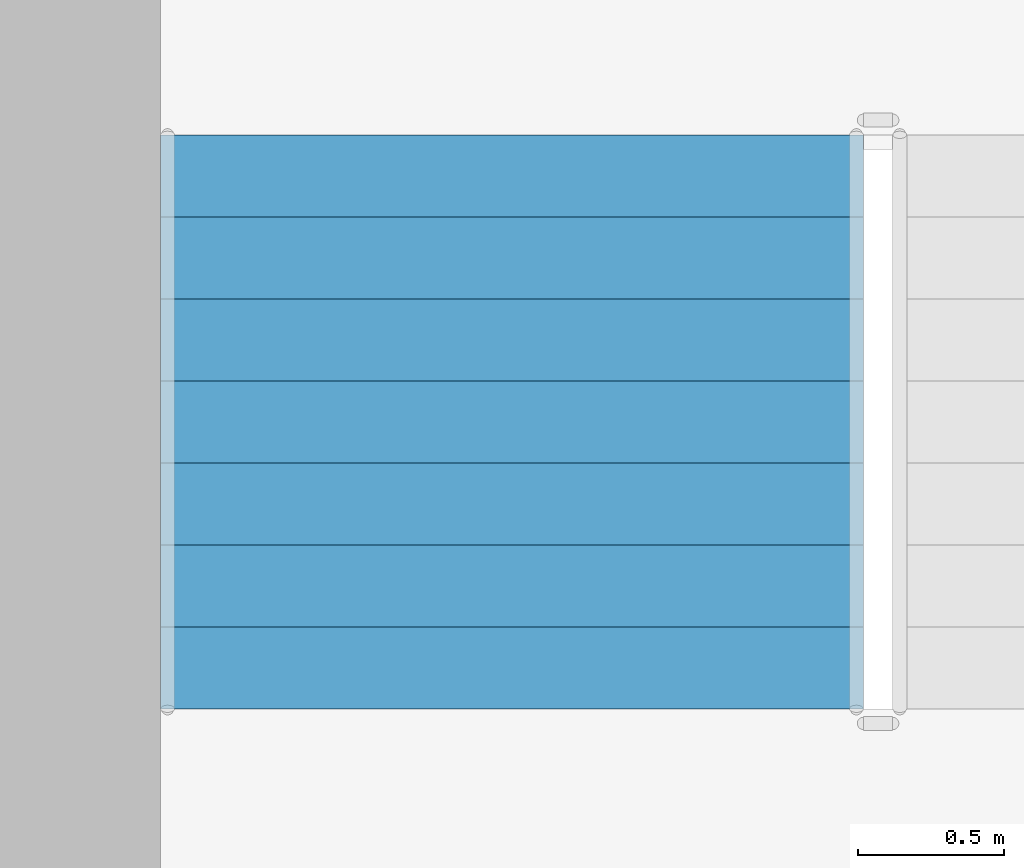
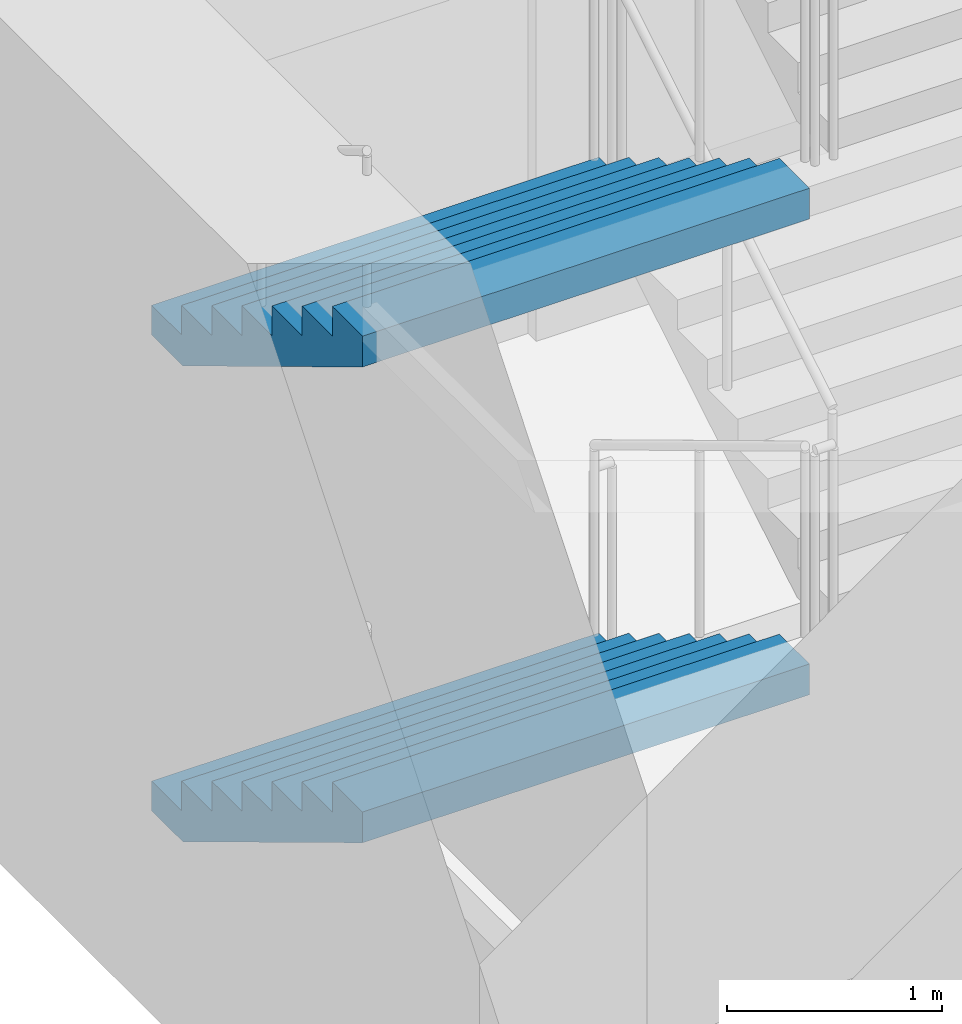
# One storey, part 37 of 101: 2 stair flights, 1 element without a shape of its own.
"""IFC4 building model written with IfcOpenShell, lengths in metres."""

from ifc_helpers import new_model, si_unit, direction, frame, origin, place, context, subcontext, project, spatial, triangles, material, type_object, element, aggregate, save


model = new_model("IFC4")

# Units and contexts
model_context = context("Model", 3, precision=1e-05, world=origin(), true_north=direction((0.0, 1.0)))
body_context = subcontext(model_context, "Body", "Model", "MODEL_VIEW")
ifc_project = project(units=[si_unit("LENGTHUNIT", "METRE"), si_unit("AREAUNIT", "SQUARE_METRE"), si_unit("VOLUMEUNIT", "CUBIC_METRE"), si_unit("PLANEANGLEUNIT", "RADIAN"), si_unit("MASSUNIT", "GRAM", prefix="KILO")], contexts=[model_context])

# Site, building, storey
site_placement = place(None, origin())
site = spatial("IfcSite", under=ifc_project, at=site_placement, CompositionType="ELEMENT")
building_placement = place(site_placement, origin())
building = spatial("IfcBuilding", under=site, at=building_placement, Name="Magnolia Steps Interchange", CompositionType="ELEMENT")
storey_placement = place(building_placement, frame((0.0, 0.0, -5.39990234375)))
storey = spatial("IfcBuildingStorey", under=building, at=storey_placement, Name="B1", CompositionType="ELEMENT", Elevation=-5.39990234375)

# Stair, stair flights
ifc_material_1 = material(Name="Concrete C40", Category="concrete")
stair_type = type_object("IfcStairType", Name="Exit stair 2400", PredefinedType="HALF_TURN_STAIR", material=ifc_material_1)
stair_placement = place(storey_placement, origin())
stair = element("IfcStair", 1, at=stair_placement, inside=storey, type_object=stair_type, Name="B1 Stair 15", PredefinedType="HALF_TURN_STAIR")
ifc_material_2 = material(Name="Concrete C40", Category="concrete")
stair_flight_type = type_object("IfcStairFlightType", Name="Exit stair flight", PredefinedType="STRAIGHT", material=ifc_material_2)
stair_flight_1_placement = place(storey_placement, frame((22.375, 58.125, 0.0), z_axis=(0.0, 0.0, 1.0), x_axis=(0.0, -1.0, 0.0)))
stair_flight_1 = element("IfcStairFlight", 2, at=stair_flight_1_placement, type_object=stair_flight_type, Name="Stair 15 flight 1", NumberOfRisers=8, NumberOfTreads=7, PredefinedType="STRAIGHT", RiserHeight=0.16875, TreadLength=0.28, context=body_context, shape_type="Tessellation", body=[
    triangles([(0.0, -1.199951171875, 0.0), (0.29052734375, -1.199951171875, 0.0), (1.9599609375, -1.199951171875, 1.00634765625), (1.9599609375, -1.199951171875, 1.18115234375), (1.679931640625, -1.199951171875, 1.18115234375), (1.679931640625, -1.199951171875, 1.012451171875), (1.39990234375, -1.199951171875, 1.012451171875), (1.39990234375, -1.199951171875, 0.84375), (1.1201171875, -1.199951171875, 0.84375), (1.1201171875, -1.199951171875, 0.675048828125), (0.840087890625, -1.199951171875, 0.675048828125), (0.840087890625, -1.199951171875, 0.50634765625), (0.56005859375, -1.199951171875, 0.50634765625), (0.56005859375, -1.199951171875, 0.33740234375), (0.280029296875, -1.199951171875, 0.33740234375), (0.280029296875, -1.199951171875, 0.168701171875), (0.0, -1.199951171875, 0.168701171875), (0.0, 1.199951171875, 0.0), (0.29052734375, 1.199951171875, 0.0), (1.9599609375, 1.199951171875, 1.00634765625), (1.9599609375, 1.199951171875, 1.18115234375), (1.679931640625, 1.199951171875, 1.18115234375), (1.679931640625, 1.199951171875, 1.012451171875), (1.39990234375, 1.199951171875, 1.012451171875), (1.39990234375, 1.199951171875, 0.84375), (1.1201171875, 1.199951171875, 0.84375), (1.1201171875, 1.199951171875, 0.675048828125), (0.840087890625, 1.199951171875, 0.675048828125), (0.840087890625, 1.199951171875, 0.50634765625), (0.56005859375, 1.199951171875, 0.50634765625), (0.56005859375, 1.199951171875, 0.33740234375), (0.280029296875, 1.199951171875, 0.33740234375), (0.280029296875, 1.199951171875, 0.168701171875), (0.0, 1.199951171875, 0.168701171875), (0.0, 0.0, 0.0), (0.0, 0.0, 0.04217529296875), (0.0, 0.0, 0.0843505859375), (0.0, 0.0, 0.12652587890625), (0.0, 0.0, 0.168701171875), (0.0, -0.05, 0.0), (0.0, -0.05, 0.168701171875), (0.0, 0.05, 0.0), (0.0, 0.05, 0.168701171875), (0.046671549479166664, 0.0, 0.168701171875), (0.09334309895833333, 0.0, 0.168701171875), (0.1400146484375, 0.0, 0.168701171875), (0.18668619791666666, 0.0, 0.168701171875), (0.23335774739583334, 0.0, 0.168701171875), (0.280029296875, 0.0, 0.168701171875), (0.280029296875, -0.05, 0.168701171875), (0.280029296875, 0.05, 0.168701171875), (0.280029296875, 0.0, 0.21087646484375), (0.280029296875, 0.0, 0.2530517578125), (0.280029296875, 0.0, 0.29522705078125), (0.280029296875, 0.0, 0.33740234375), (0.280029296875, -0.05, 0.33740234375), (0.280029296875, 0.05, 0.33740234375), (0.3267008463541667, 0.0, 0.33740234375), (0.3733723958333333, 0.0, 0.33740234375), (0.4200439453125, 0.0, 0.33740234375), (0.46671549479166663, 0.0, 0.33740234375), (0.5133870442708334, 0.0, 0.33740234375), (0.56005859375, 0.0, 0.33740234375), (0.56005859375, -0.05, 0.33740234375), (0.56005859375, 0.05, 0.33740234375), (0.56005859375, 0.0, 0.379638671875), (0.56005859375, 0.0, 0.421875), (0.56005859375, 0.0, 0.464111328125), (0.56005859375, 0.0, 0.50634765625), (0.56005859375, -0.05, 0.50634765625), (0.56005859375, 0.05, 0.50634765625), (0.6067301432291666, 0.0, 0.50634765625), (0.6534016927083334, 0.0, 0.50634765625), (0.7000732421875, 0.0, 0.50634765625), (0.7467447916666666, 0.0, 0.50634765625), (0.7934163411458334, 0.0, 0.50634765625), (0.840087890625, 0.0, 0.50634765625), (0.840087890625, -0.05, 0.50634765625), (0.840087890625, 0.05, 0.50634765625), (0.840087890625, 0.0, 0.54852294921875), (0.840087890625, 0.0, 0.5906982421875), (0.840087890625, 0.0, 0.63287353515625), (0.840087890625, 0.0, 0.675048828125), (0.840087890625, -0.05, 0.675048828125), (0.840087890625, 0.05, 0.675048828125), (0.8867594401041666, 0.0, 0.675048828125), (0.9334309895833334, 0.0, 0.675048828125), (0.9801025390625, 0.0, 0.675048828125), (1.0267740885416667, 0.0, 0.675048828125), (1.0734456380208333, 0.0, 0.675048828125), (1.1201171875, 0.0, 0.675048828125), (1.1201171875, -0.05, 0.675048828125), (1.1201171875, 0.05, 0.675048828125), (1.1201171875, 0.0, 0.71722412109375), (1.1201171875, 0.0, 0.7593994140625), (1.1201171875, 0.0, 0.80157470703125), (1.1201171875, 0.0, 0.84375), (1.1201171875, -0.05, 0.84375), (1.1201171875, 0.05, 0.84375), (1.1900634765625, 0.0, 0.84375), (1.260009765625, 0.0, 0.84375), (1.3299560546875, 0.0, 0.84375), (1.39990234375, 0.0, 0.84375), (1.39990234375, -0.05, 0.84375), (1.39990234375, 0.05, 0.84375), (1.39990234375, 0.0, 0.88592529296875), (1.39990234375, 0.0, 0.9281005859375), (1.39990234375, 0.0, 0.97027587890625), (1.39990234375, 0.0, 1.012451171875), (1.39990234375, -0.05, 1.012451171875), (1.39990234375, 0.05, 1.012451171875), (1.4465738932291667, 0.0, 1.012451171875), (1.4932454427083333, 0.0, 1.012451171875), (1.5399169921875, 0.0, 1.012451171875), (1.5865885416666667, 0.0, 1.012451171875), (1.6332600911458333, 0.0, 1.012451171875), (1.679931640625, 0.0, 1.012451171875), (1.679931640625, -0.05, 1.012451171875), (1.679931640625, 0.05, 1.012451171875), (1.679931640625, 0.0, 1.05462646484375), (1.679931640625, 0.0, 1.0968017578125), (1.679931640625, 0.0, 1.13897705078125), (1.679931640625, 0.0, 1.18115234375), (1.679931640625, -0.05, 1.18115234375), (1.679931640625, 0.05, 1.18115234375), (1.7266031901041667, 0.0, 1.18115234375), (1.7732747395833333, 0.0, 1.18115234375), (1.8199462890625, 0.0, 1.18115234375), (1.8666178385416667, 0.0, 1.18115234375), (1.9132893880208333, 0.0, 1.18115234375), (1.9599609375, 0.0, 1.18115234375), (1.9599609375, -0.05, 1.18115234375), (1.9599609375, 0.05, 1.18115234375), (1.9599609375, 0.0, 1.137451171875), (1.9599609375, 0.0, 1.09375), (1.9599609375, 0.0, 1.050048828125), (1.9599609375, 0.0, 1.00634765625), (1.9599609375, -0.05, 1.00634765625), (1.9599609375, 0.05, 1.00634765625), (1.9003383091517858, 0.0, 0.9704066685267857), (1.8407156808035714, 0.0, 0.9344656808035714), (1.7810930524553572, 0.0, 0.8985246930803571), (1.7214704241071428, 0.0, 0.8625837053571428), (1.6618477957589286, 0.0, 0.8266427176339286), (1.6022251674107144, 0.0, 0.7907017299107143), (1.5426025390625, 0.0, 0.7547607421875), (1.4829799107142856, 0.0, 0.7188197544642857), (1.4233572823660714, 0.0, 0.6828787667410714), (1.3637346540178572, 0.0, 0.6469377790178572), (1.3041120256696428, 0.0, 0.6109967912946428), (1.2444893973214286, 0.0, 0.5750558035714286), (1.1848667689732144, 0.0, 0.5391148158482143), (1.125244140625, 0.0, 0.503173828125), (1.0656215122767856, 0.0, 0.4672328404017857), (1.0059988839285714, 0.0, 0.4312918526785714), (0.9463762555803572, 0.0, 0.3953508649553571), (0.8867536272321428, 0.0, 0.3594098772321429), (0.8271309988839286, 0.0, 0.3234688895089286), (0.7675083705357142, 0.0, 0.2875279017857143), (0.7078857421875, 0.0, 0.2515869140625), (0.6482631138392858, 0.0, 0.2156459263392857), (0.5886404854910714, 0.0, 0.1797049386160714), (0.5290178571428572, 0.0, 0.1437639508928571), (0.4693952287946428, 0.0, 0.1078229631696429), (0.4097726004464286, 0.0, 0.0718819754464286), (0.3501499720982142, 0.0, 0.0359409877232143), (0.29052734375, 0.0, 0.0), (0.29052734375, -0.05, 0.0), (0.29052734375, 0.05, 0.0), (0.24210611979166666, 0.0, 0.0), (0.19368489583333331, 0.0, 0.0), (0.145263671875, 0.0, 0.0), (0.09684244791666666, 0.0, 0.0), (0.04842122395833334, 0.0, 0.0)], [[1, 2, 3], [3, 4, 5], [3, 5, 6], [3, 6, 7], [3, 7, 8], [8, 9, 10], [3, 8, 10], [10, 11, 12], [3, 10, 12], [12, 13, 14], [3, 12, 14], [14, 15, 16], [3, 14, 16], [1, 3, 16], [16, 17, 1], [18, 20, 19], [20, 22, 21], [20, 23, 22], [20, 24, 23], [20, 25, 24], [25, 27, 26], [20, 27, 25], [27, 29, 28], [20, 29, 27], [29, 31, 30], [20, 31, 29], [31, 33, 32], [20, 33, 31], [18, 33, 20], [33, 18, 34], [1, 17, 41], [1, 41, 40], [40, 36, 35], [40, 37, 36], [40, 41, 37], [41, 38, 37], [41, 39, 38], [18, 43, 34], [18, 42, 43], [42, 35, 36], [42, 36, 37], [42, 37, 43], [43, 37, 38], [43, 38, 39], [17, 16, 50], [17, 50, 41], [41, 44, 39], [41, 45, 44], [41, 46, 45], [41, 50, 46], [50, 47, 46], [50, 48, 47], [50, 49, 48], [34, 51, 33], [34, 43, 51], [43, 39, 44], [43, 44, 45], [43, 45, 46], [43, 46, 51], [51, 46, 47], [51, 47, 48], [51, 48, 49], [16, 15, 56], [16, 56, 50], [50, 52, 49], [50, 53, 52], [50, 56, 53], [56, 54, 53], [56, 55, 54], [33, 57, 32], [33, 51, 57], [51, 49, 52], [51, 52, 53], [51, 53, 57], [57, 53, 54], [57, 54, 55], [15, 14, 64], [15, 64, 56], [56, 58, 55], [56, 59, 58], [56, 60, 59], [56, 64, 60], [64, 61, 60], [64, 62, 61], [64, 63, 62], [32, 65, 31], [32, 57, 65], [57, 55, 58], [57, 58, 59], [57, 59, 60], [57, 60, 65], [65, 60, 61], [65, 61, 62], [65, 62, 63], [14, 13, 70], [14, 70, 64], [64, 66, 63], [64, 67, 66], [64, 70, 67], [70, 68, 67], [70, 69, 68], [31, 71, 30], [31, 65, 71], [65, 63, 66], [65, 66, 67], [65, 67, 71], [71, 67, 68], [71, 68, 69], [13, 12, 78], [13, 78, 70], [70, 72, 69], [70, 73, 72], [70, 74, 73], [70, 78, 74], [78, 75, 74], [78, 76, 75], [78, 77, 76], [30, 79, 29], [30, 71, 79], [71, 69, 72], [71, 72, 73], [71, 73, 74], [71, 74, 79], [79, 74, 75], [79, 75, 76], [79, 76, 77], [12, 11, 84], [12, 84, 78], [78, 80, 77], [78, 81, 80], [78, 84, 81], [84, 82, 81], [84, 83, 82], [29, 85, 28], [29, 79, 85], [79, 77, 80], [79, 80, 81], [79, 81, 85], [85, 81, 82], [85, 82, 83], [11, 10, 92], [11, 92, 84], [84, 86, 83], [84, 87, 86], [84, 88, 87], [84, 92, 88], [92, 89, 88], [92, 90, 89], [92, 91, 90], [28, 93, 27], [28, 85, 93], [85, 83, 86], [85, 86, 87], [85, 87, 88], [85, 88, 93], [93, 88, 89], [93, 89, 90], [93, 90, 91], [10, 9, 98], [10, 98, 92], [92, 94, 91], [92, 95, 94], [92, 98, 95], [98, 96, 95], [98, 97, 96], [27, 99, 26], [27, 93, 99], [93, 91, 94], [93, 94, 95], [93, 95, 99], [99, 95, 96], [99, 96, 97], [9, 8, 104], [9, 104, 98], [98, 100, 97], [98, 101, 100], [98, 104, 101], [104, 102, 101], [104, 103, 102], [26, 105, 25], [26, 99, 105], [99, 97, 100], [99, 100, 101], [99, 101, 105], [105, 101, 102], [105, 102, 103], [8, 7, 110], [8, 110, 104], [104, 106, 103], [104, 107, 106], [104, 110, 107], [110, 108, 107], [110, 109, 108], [25, 111, 24], [25, 105, 111], [105, 103, 106], [105, 106, 107], [105, 107, 111], [111, 107, 108], [111, 108, 109], [7, 6, 118], [7, 118, 110], [110, 112, 109], [110, 113, 112], [110, 114, 113], [110, 118, 114], [118, 115, 114], [118, 116, 115], [118, 117, 116], [24, 119, 23], [24, 111, 119], [111, 109, 112], [111, 112, 113], [111, 113, 114], [111, 114, 119], [119, 114, 115], [119, 115, 116], [119, 116, 117], [6, 5, 124], [6, 124, 118], [118, 120, 117], [118, 121, 120], [118, 124, 121], [124, 122, 121], [124, 123, 122], [23, 125, 22], [23, 119, 125], [119, 117, 120], [119, 120, 121], [119, 121, 125], [125, 121, 122], [125, 122, 123], [5, 4, 132], [5, 132, 124], [124, 126, 123], [124, 127, 126], [124, 128, 127], [124, 132, 128], [132, 129, 128], [132, 130, 129], [132, 131, 130], [22, 133, 21], [22, 125, 133], [125, 123, 126], [125, 126, 127], [125, 127, 128], [125, 128, 133], [133, 128, 129], [133, 129, 130], [133, 130, 131], [4, 3, 138], [4, 138, 132], [132, 134, 131], [132, 135, 134], [132, 138, 135], [138, 136, 135], [138, 137, 136], [21, 139, 20], [21, 133, 139], [133, 131, 134], [133, 134, 135], [133, 135, 139], [139, 135, 136], [139, 136, 137], [3, 2, 168], [3, 168, 138], [138, 140, 137], [138, 141, 140], [138, 142, 141], [138, 143, 142], [138, 144, 143], [138, 145, 144], [138, 146, 145], [138, 147, 146], [138, 148, 147], [138, 149, 148], [138, 150, 149], [138, 151, 150], [138, 152, 151], [138, 153, 152], [138, 168, 153], [168, 154, 153], [168, 155, 154], [168, 156, 155], [168, 157, 156], [168, 158, 157], [168, 159, 158], [168, 160, 159], [168, 161, 160], [168, 162, 161], [168, 163, 162], [168, 164, 163], [168, 165, 164], [168, 166, 165], [168, 167, 166], [20, 169, 19], [20, 139, 169], [139, 137, 140], [139, 140, 141], [139, 141, 142], [139, 142, 143], [139, 143, 144], [139, 144, 145], [139, 145, 146], [139, 146, 147], [139, 147, 148], [139, 148, 149], [139, 149, 150], [139, 150, 151], [139, 151, 152], [139, 152, 153], [139, 153, 169], [169, 153, 154], [169, 154, 155], [169, 155, 156], [169, 156, 157], [169, 157, 158], [169, 158, 159], [169, 159, 160], [169, 160, 161], [169, 161, 162], [169, 162, 163], [169, 163, 164], [169, 164, 165], [169, 165, 166], [169, 166, 167], [2, 1, 40], [2, 40, 168], [168, 170, 167], [168, 171, 170], [168, 172, 171], [168, 40, 172], [40, 173, 172], [40, 174, 173], [40, 35, 174], [19, 42, 18], [19, 169, 42], [169, 167, 170], [169, 170, 171], [169, 171, 172], [169, 172, 42], [42, 172, 173], [42, 173, 174], [42, 174, 35]], closed=True),
])
stair_flight_2_placement = place(storey_placement, frame((22.375, 58.125, 2.699951171875), z_axis=(0.0, 0.0, 1.0), x_axis=(0.0, -1.0, 0.0)))
stair_flight_2 = element("IfcStairFlight", 3, at=stair_flight_2_placement, type_object=stair_flight_type, Name="Stair 15 flight 3", NumberOfRisers=8, NumberOfTreads=7, PredefinedType="STRAIGHT", RiserHeight=0.16875, TreadLength=0.28, context=body_context, shape_type="Tessellation", body=[
    triangles([(0.0, -1.199951171875, 0.0), (0.29052734375, -1.199951171875, 0.0), (1.9599609375, -1.199951171875, 1.00634765625), (1.9599609375, -1.199951171875, 1.18115234375), (1.679931640625, -1.199951171875, 1.18115234375), (1.679931640625, -1.199951171875, 1.012451171875), (1.39990234375, -1.199951171875, 1.012451171875), (1.39990234375, -1.199951171875, 0.84375), (1.1201171875, -1.199951171875, 0.84375), (1.1201171875, -1.199951171875, 0.675048828125), (0.840087890625, -1.199951171875, 0.675048828125), (0.840087890625, -1.199951171875, 0.50634765625), (0.56005859375, -1.199951171875, 0.50634765625), (0.56005859375, -1.199951171875, 0.33740234375), (0.280029296875, -1.199951171875, 0.33740234375), (0.280029296875, -1.199951171875, 0.168701171875), (0.0, -1.199951171875, 0.168701171875), (0.0, 1.199951171875, 0.0), (0.29052734375, 1.199951171875, 0.0), (1.9599609375, 1.199951171875, 1.00634765625), (1.9599609375, 1.199951171875, 1.18115234375), (1.679931640625, 1.199951171875, 1.18115234375), (1.679931640625, 1.199951171875, 1.012451171875), (1.39990234375, 1.199951171875, 1.012451171875), (1.39990234375, 1.199951171875, 0.84375), (1.1201171875, 1.199951171875, 0.84375), (1.1201171875, 1.199951171875, 0.675048828125), (0.840087890625, 1.199951171875, 0.675048828125), (0.840087890625, 1.199951171875, 0.50634765625), (0.56005859375, 1.199951171875, 0.50634765625), (0.56005859375, 1.199951171875, 0.33740234375), (0.280029296875, 1.199951171875, 0.33740234375), (0.280029296875, 1.199951171875, 0.168701171875), (0.0, 1.199951171875, 0.168701171875), (0.0, 0.0, 0.0), (0.0, 0.0, 0.04217529296875), (0.0, 0.0, 0.0843505859375), (0.0, 0.0, 0.12652587890625), (0.0, 0.0, 0.168701171875), (0.0, -0.05, 0.0), (0.0, -0.05, 0.168701171875), (0.0, 0.05, 0.0), (0.0, 0.05, 0.168701171875), (0.046671549479166664, 0.0, 0.168701171875), (0.09334309895833333, 0.0, 0.168701171875), (0.1400146484375, 0.0, 0.168701171875), (0.18668619791666666, 0.0, 0.168701171875), (0.23335774739583334, 0.0, 0.168701171875), (0.280029296875, 0.0, 0.168701171875), (0.280029296875, -0.05, 0.168701171875), (0.280029296875, 0.05, 0.168701171875), (0.280029296875, 0.0, 0.21087646484375), (0.280029296875, 0.0, 0.2530517578125), (0.280029296875, 0.0, 0.29522705078125), (0.280029296875, 0.0, 0.33740234375), (0.280029296875, -0.05, 0.33740234375), (0.280029296875, 0.05, 0.33740234375), (0.3267008463541667, 0.0, 0.33740234375), (0.3733723958333333, 0.0, 0.33740234375), (0.4200439453125, 0.0, 0.33740234375), (0.46671549479166663, 0.0, 0.33740234375), (0.5133870442708334, 0.0, 0.33740234375), (0.56005859375, 0.0, 0.33740234375), (0.56005859375, -0.05, 0.33740234375), (0.56005859375, 0.05, 0.33740234375), (0.56005859375, 0.0, 0.379638671875), (0.56005859375, 0.0, 0.421875), (0.56005859375, 0.0, 0.464111328125), (0.56005859375, 0.0, 0.50634765625), (0.56005859375, -0.05, 0.50634765625), (0.56005859375, 0.05, 0.50634765625), (0.6067301432291666, 0.0, 0.50634765625), (0.6534016927083334, 0.0, 0.50634765625), (0.7000732421875, 0.0, 0.50634765625), (0.7467447916666666, 0.0, 0.50634765625), (0.7934163411458334, 0.0, 0.50634765625), (0.840087890625, 0.0, 0.50634765625), (0.840087890625, -0.05, 0.50634765625), (0.840087890625, 0.05, 0.50634765625), (0.840087890625, 0.0, 0.54852294921875), (0.840087890625, 0.0, 0.5906982421875), (0.840087890625, 0.0, 0.63287353515625), (0.840087890625, 0.0, 0.675048828125), (0.840087890625, -0.05, 0.675048828125), (0.840087890625, 0.05, 0.675048828125), (0.8867594401041666, 0.0, 0.675048828125), (0.9334309895833334, 0.0, 0.675048828125), (0.9801025390625, 0.0, 0.675048828125), (1.0267740885416667, 0.0, 0.675048828125), (1.0734456380208333, 0.0, 0.675048828125), (1.1201171875, 0.0, 0.675048828125), (1.1201171875, -0.05, 0.675048828125), (1.1201171875, 0.05, 0.675048828125), (1.1201171875, 0.0, 0.71722412109375), (1.1201171875, 0.0, 0.7593994140625), (1.1201171875, 0.0, 0.80157470703125), (1.1201171875, 0.0, 0.84375), (1.1201171875, -0.05, 0.84375), (1.1201171875, 0.05, 0.84375), (1.1900634765625, 0.0, 0.84375), (1.260009765625, 0.0, 0.84375), (1.3299560546875, 0.0, 0.84375), (1.39990234375, 0.0, 0.84375), (1.39990234375, -0.05, 0.84375), (1.39990234375, 0.05, 0.84375), (1.39990234375, 0.0, 0.88592529296875), (1.39990234375, 0.0, 0.9281005859375), (1.39990234375, 0.0, 0.97027587890625), (1.39990234375, 0.0, 1.012451171875), (1.39990234375, -0.05, 1.012451171875), (1.39990234375, 0.05, 1.012451171875), (1.4465738932291667, 0.0, 1.012451171875), (1.4932454427083333, 0.0, 1.012451171875), (1.5399169921875, 0.0, 1.012451171875), (1.5865885416666667, 0.0, 1.012451171875), (1.6332600911458333, 0.0, 1.012451171875), (1.679931640625, 0.0, 1.012451171875), (1.679931640625, -0.05, 1.012451171875), (1.679931640625, 0.05, 1.012451171875), (1.679931640625, 0.0, 1.05462646484375), (1.679931640625, 0.0, 1.0968017578125), (1.679931640625, 0.0, 1.13897705078125), (1.679931640625, 0.0, 1.18115234375), (1.679931640625, -0.05, 1.18115234375), (1.679931640625, 0.05, 1.18115234375), (1.7266031901041667, 0.0, 1.18115234375), (1.7732747395833333, 0.0, 1.18115234375), (1.8199462890625, 0.0, 1.18115234375), (1.8666178385416667, 0.0, 1.18115234375), (1.9132893880208333, 0.0, 1.18115234375), (1.9599609375, 0.0, 1.18115234375), (1.9599609375, -0.05, 1.18115234375), (1.9599609375, 0.05, 1.18115234375), (1.9599609375, 0.0, 1.137451171875), (1.9599609375, 0.0, 1.09375), (1.9599609375, 0.0, 1.050048828125), (1.9599609375, 0.0, 1.00634765625), (1.9599609375, -0.05, 1.00634765625), (1.9599609375, 0.05, 1.00634765625), (1.9003383091517858, 0.0, 0.9704066685267857), (1.8407156808035714, 0.0, 0.9344656808035714), (1.7810930524553572, 0.0, 0.8985246930803571), (1.7214704241071428, 0.0, 0.8625837053571428), (1.6618477957589286, 0.0, 0.8266427176339286), (1.6022251674107144, 0.0, 0.7907017299107143), (1.5426025390625, 0.0, 0.7547607421875), (1.4829799107142856, 0.0, 0.7188197544642857), (1.4233572823660714, 0.0, 0.6828787667410714), (1.3637346540178572, 0.0, 0.6469377790178572), (1.3041120256696428, 0.0, 0.6109967912946428), (1.2444893973214286, 0.0, 0.5750558035714286), (1.1848667689732144, 0.0, 0.5391148158482143), (1.125244140625, 0.0, 0.503173828125), (1.0656215122767856, 0.0, 0.4672328404017857), (1.0059988839285714, 0.0, 0.4312918526785714), (0.9463762555803572, 0.0, 0.3953508649553571), (0.8867536272321428, 0.0, 0.3594098772321429), (0.8271309988839286, 0.0, 0.3234688895089286), (0.7675083705357142, 0.0, 0.2875279017857143), (0.7078857421875, 0.0, 0.2515869140625), (0.6482631138392858, 0.0, 0.2156459263392857), (0.5886404854910714, 0.0, 0.1797049386160714), (0.5290178571428572, 0.0, 0.1437639508928571), (0.4693952287946428, 0.0, 0.1078229631696429), (0.4097726004464286, 0.0, 0.0718819754464286), (0.3501499720982142, 0.0, 0.0359409877232143), (0.29052734375, 0.0, 0.0), (0.29052734375, -0.05, 0.0), (0.29052734375, 0.05, 0.0), (0.24210611979166666, 0.0, 0.0), (0.19368489583333331, 0.0, 0.0), (0.145263671875, 0.0, 0.0), (0.09684244791666666, 0.0, 0.0), (0.04842122395833334, 0.0, 0.0)], [[1, 2, 3], [3, 4, 5], [3, 5, 6], [3, 6, 7], [3, 7, 8], [8, 9, 10], [3, 8, 10], [10, 11, 12], [3, 10, 12], [12, 13, 14], [3, 12, 14], [14, 15, 16], [3, 14, 16], [1, 3, 16], [16, 17, 1], [18, 20, 19], [20, 22, 21], [20, 23, 22], [20, 24, 23], [20, 25, 24], [25, 27, 26], [20, 27, 25], [27, 29, 28], [20, 29, 27], [29, 31, 30], [20, 31, 29], [31, 33, 32], [20, 33, 31], [18, 33, 20], [33, 18, 34], [1, 17, 41], [1, 41, 40], [40, 36, 35], [40, 37, 36], [40, 41, 37], [41, 38, 37], [41, 39, 38], [18, 43, 34], [18, 42, 43], [42, 35, 36], [42, 36, 37], [42, 37, 43], [43, 37, 38], [43, 38, 39], [17, 16, 50], [17, 50, 41], [41, 44, 39], [41, 45, 44], [41, 46, 45], [41, 50, 46], [50, 47, 46], [50, 48, 47], [50, 49, 48], [34, 51, 33], [34, 43, 51], [43, 39, 44], [43, 44, 45], [43, 45, 46], [43, 46, 51], [51, 46, 47], [51, 47, 48], [51, 48, 49], [16, 15, 56], [16, 56, 50], [50, 52, 49], [50, 53, 52], [50, 56, 53], [56, 54, 53], [56, 55, 54], [33, 57, 32], [33, 51, 57], [51, 49, 52], [51, 52, 53], [51, 53, 57], [57, 53, 54], [57, 54, 55], [15, 14, 64], [15, 64, 56], [56, 58, 55], [56, 59, 58], [56, 60, 59], [56, 64, 60], [64, 61, 60], [64, 62, 61], [64, 63, 62], [32, 65, 31], [32, 57, 65], [57, 55, 58], [57, 58, 59], [57, 59, 60], [57, 60, 65], [65, 60, 61], [65, 61, 62], [65, 62, 63], [14, 13, 70], [14, 70, 64], [64, 66, 63], [64, 67, 66], [64, 70, 67], [70, 68, 67], [70, 69, 68], [31, 71, 30], [31, 65, 71], [65, 63, 66], [65, 66, 67], [65, 67, 71], [71, 67, 68], [71, 68, 69], [13, 12, 78], [13, 78, 70], [70, 72, 69], [70, 73, 72], [70, 74, 73], [70, 78, 74], [78, 75, 74], [78, 76, 75], [78, 77, 76], [30, 79, 29], [30, 71, 79], [71, 69, 72], [71, 72, 73], [71, 73, 74], [71, 74, 79], [79, 74, 75], [79, 75, 76], [79, 76, 77], [12, 11, 84], [12, 84, 78], [78, 80, 77], [78, 81, 80], [78, 84, 81], [84, 82, 81], [84, 83, 82], [29, 85, 28], [29, 79, 85], [79, 77, 80], [79, 80, 81], [79, 81, 85], [85, 81, 82], [85, 82, 83], [11, 10, 92], [11, 92, 84], [84, 86, 83], [84, 87, 86], [84, 88, 87], [84, 92, 88], [92, 89, 88], [92, 90, 89], [92, 91, 90], [28, 93, 27], [28, 85, 93], [85, 83, 86], [85, 86, 87], [85, 87, 88], [85, 88, 93], [93, 88, 89], [93, 89, 90], [93, 90, 91], [10, 9, 98], [10, 98, 92], [92, 94, 91], [92, 95, 94], [92, 98, 95], [98, 96, 95], [98, 97, 96], [27, 99, 26], [27, 93, 99], [93, 91, 94], [93, 94, 95], [93, 95, 99], [99, 95, 96], [99, 96, 97], [9, 8, 104], [9, 104, 98], [98, 100, 97], [98, 101, 100], [98, 104, 101], [104, 102, 101], [104, 103, 102], [26, 105, 25], [26, 99, 105], [99, 97, 100], [99, 100, 101], [99, 101, 105], [105, 101, 102], [105, 102, 103], [8, 7, 110], [8, 110, 104], [104, 106, 103], [104, 107, 106], [104, 110, 107], [110, 108, 107], [110, 109, 108], [25, 111, 24], [25, 105, 111], [105, 103, 106], [105, 106, 107], [105, 107, 111], [111, 107, 108], [111, 108, 109], [7, 6, 118], [7, 118, 110], [110, 112, 109], [110, 113, 112], [110, 114, 113], [110, 118, 114], [118, 115, 114], [118, 116, 115], [118, 117, 116], [24, 119, 23], [24, 111, 119], [111, 109, 112], [111, 112, 113], [111, 113, 114], [111, 114, 119], [119, 114, 115], [119, 115, 116], [119, 116, 117], [6, 5, 124], [6, 124, 118], [118, 120, 117], [118, 121, 120], [118, 124, 121], [124, 122, 121], [124, 123, 122], [23, 125, 22], [23, 119, 125], [119, 117, 120], [119, 120, 121], [119, 121, 125], [125, 121, 122], [125, 122, 123], [5, 4, 132], [5, 132, 124], [124, 126, 123], [124, 127, 126], [124, 128, 127], [124, 132, 128], [132, 129, 128], [132, 130, 129], [132, 131, 130], [22, 133, 21], [22, 125, 133], [125, 123, 126], [125, 126, 127], [125, 127, 128], [125, 128, 133], [133, 128, 129], [133, 129, 130], [133, 130, 131], [4, 3, 138], [4, 138, 132], [132, 134, 131], [132, 135, 134], [132, 138, 135], [138, 136, 135], [138, 137, 136], [21, 139, 20], [21, 133, 139], [133, 131, 134], [133, 134, 135], [133, 135, 139], [139, 135, 136], [139, 136, 137], [3, 2, 168], [3, 168, 138], [138, 140, 137], [138, 141, 140], [138, 142, 141], [138, 143, 142], [138, 144, 143], [138, 145, 144], [138, 146, 145], [138, 147, 146], [138, 148, 147], [138, 149, 148], [138, 150, 149], [138, 151, 150], [138, 152, 151], [138, 153, 152], [138, 168, 153], [168, 154, 153], [168, 155, 154], [168, 156, 155], [168, 157, 156], [168, 158, 157], [168, 159, 158], [168, 160, 159], [168, 161, 160], [168, 162, 161], [168, 163, 162], [168, 164, 163], [168, 165, 164], [168, 166, 165], [168, 167, 166], [20, 169, 19], [20, 139, 169], [139, 137, 140], [139, 140, 141], [139, 141, 142], [139, 142, 143], [139, 143, 144], [139, 144, 145], [139, 145, 146], [139, 146, 147], [139, 147, 148], [139, 148, 149], [139, 149, 150], [139, 150, 151], [139, 151, 152], [139, 152, 153], [139, 153, 169], [169, 153, 154], [169, 154, 155], [169, 155, 156], [169, 156, 157], [169, 157, 158], [169, 158, 159], [169, 159, 160], [169, 160, 161], [169, 161, 162], [169, 162, 163], [169, 163, 164], [169, 164, 165], [169, 165, 166], [169, 166, 167], [2, 1, 40], [2, 40, 168], [168, 170, 167], [168, 171, 170], [168, 172, 171], [168, 40, 172], [40, 173, 172], [40, 174, 173], [40, 35, 174], [19, 42, 18], [19, 169, 42], [169, 167, 170], [169, 170, 171], [169, 171, 172], [169, 172, 42], [42, 172, 173], [42, 173, 174], [42, 174, 35]], closed=True),
])
aggregate(stair, [stair_flight_1, stair_flight_2])

save(model, "model.ifc")
